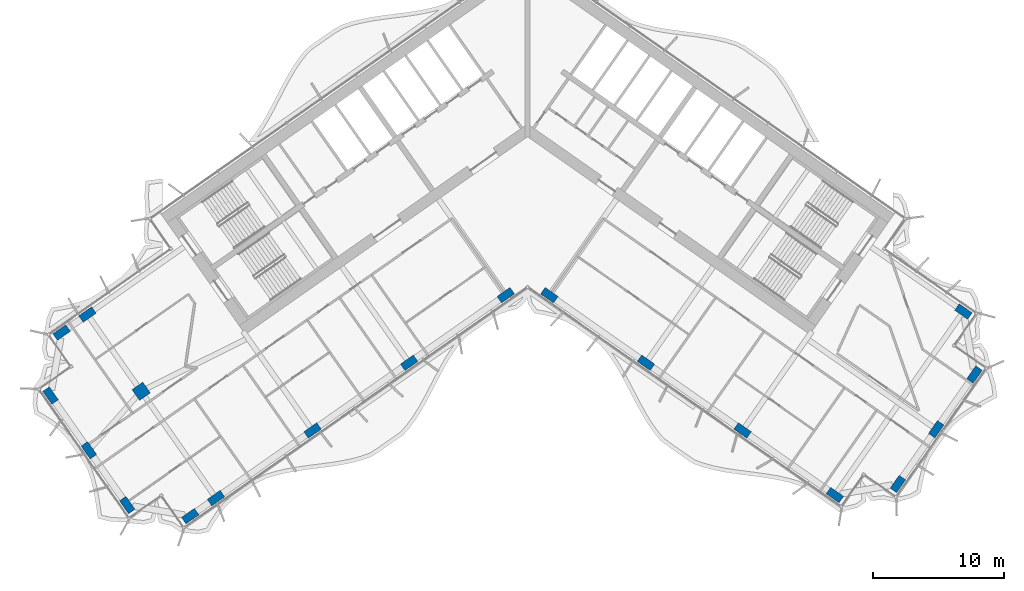
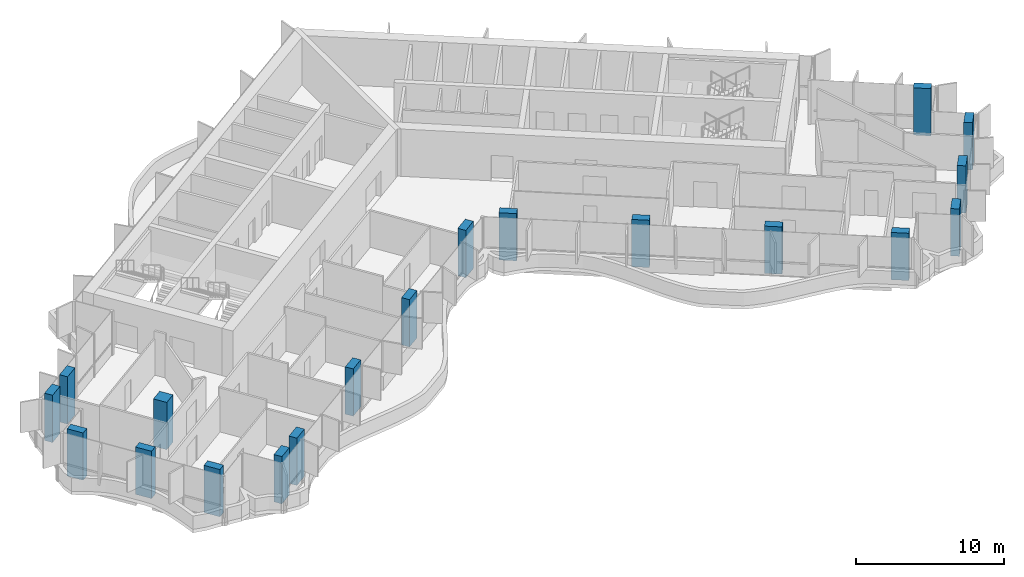
# One storey, part 1 of 23: 19 columns.
"""IFC4 building model written with IfcOpenShell, lengths in metres."""

from ifc_helpers import new_model, si_unit, direction, frame, origin, origin_2d, place, context, subcontext, project, spatial, rectangle, extrude, material, material_profile, profile_set, type_object, element, save


model = new_model("IFC4")

# Units and contexts
model_context = context("Model", 3, precision=1e-05, world=origin(), true_north=direction((0.0, 1.0)))
body_context = subcontext(model_context, "Body", "Model", "MODEL_VIEW")
ifc_project = project(units=[si_unit("LENGTHUNIT", "METRE"), si_unit("AREAUNIT", "SQUARE_METRE"), si_unit("VOLUMEUNIT", "CUBIC_METRE"), si_unit("PLANEANGLEUNIT", "RADIAN"), si_unit("MASSUNIT", "GRAM", prefix="KILO")], contexts=[model_context])

# Site, building, storey
site_placement = place(None, origin())
site = spatial("IfcSite", under=ifc_project, at=site_placement, CompositionType="ELEMENT")
building_placement = place(site_placement, origin())
building = spatial("IfcBuilding", under=site, at=building_placement, Name="Tel Ilan Convention Tower", CompositionType="ELEMENT")
storey_placement = place(building_placement, frame((0.0, 0.0, 194.39990234375)))
storey = spatial("IfcBuildingStorey", under=building, at=storey_placement, Name="L45", CompositionType="ELEMENT", Elevation=194.39990234375)

# Columns
ifc_material_1 = material(Name="Concrete C50/60", Category="concrete")
ifc_material_profile_1 = material_profile(ifc_material_1, rectangle(XDim=1.0, YDim=1.0, at=origin_2d()), Name="RC 1000x1000")
ifc_profile_set_1 = profile_set([ifc_material_profile_1], Name="Concrete C50/60")
column_type_1 = type_object("IfcColumnType", Name="Column RC 1000x1000 C50/60", PredefinedType="COLUMN", material=ifc_profile_set_1)
column_placement = place(storey_placement, frame((-29.489501953125, -20.648681640625, 0.0), z_axis=(0.0, 0.0, 1.0), x_axis=(-0.819152044289, -0.573576436351, 0.0)))
element("IfcColumn", 1, at=column_placement, inside=storey, type_object=column_type_1, Name="L45 column W-M4", PredefinedType="COLUMN", context=body_context, shape_type="SweptSolid", body=[
    extrude(rectangle(XDim=1.0, YDim=1.0, at=origin_2d()), origin(), (0.0, 0.0, 1.0), 3.900146484375),
])
ifc_material_2 = material(Name="Concrete C50/60", Category="concrete")
ifc_material_profile_2 = material_profile(ifc_material_2, rectangle(XDim=1.199951171875, YDim=0.60009765625, at=origin_2d()), Name="RC 600x1200")
ifc_profile_set_2 = profile_set([ifc_material_profile_2], Name="Concrete C50/60")
column_type_2 = type_object("IfcColumnType", Name="Column RC 600x1200 C50/60", PredefinedType="COLUMN", material=ifc_profile_set_2)
for number, where, z_axis, x_axis, name in (
    (2, (-1.665283203125, -13.312744140625, 0.0), (0.0, 0.0, 1.0), (-0.819152044289, -0.573576436351, 0.0), "L45 column W-F1"),
    (3, (-9.03759765625, -18.474853515625, 0.0), (0.0, 0.0, 1.0), (-0.819152044289, -0.573576436351, 0.0), "L45 column W-F2"),
    (4, (-16.409912109375, -23.63720703125, 0.0), (0.0, 0.0, 1.0), (-0.819152044289, -0.573576436351, 0.0), "L45 column W-F3"),
    (5, (-23.782470703125, -28.79931640625, 0.0), (0.0, 0.0, 1.0), (-0.819152044289, -0.573576436351, 0.0), "L45 column W-F4"),
    (6, (-25.748291015625, -30.17578125, 0.0), (0.0, 0.0, 1.0), (-0.819152044289, -0.573576436351, 0.0), "L45 column W-FC"),
    (7, (-33.590576171875, -14.791748046875, 0.0), (0.0, 0.0, 1.0), (-0.819152044289, -0.573576436351, 0.0), "L45 column W-B4"),
    (8, (-35.556396484375, -16.16845703125, 0.0), (0.0, 0.0, 1.0), (-0.819152044289, -0.573576436351, 0.0), "L45 column W-BC"),
    (9, (-30.55322265625, -29.32861328125, 0.0), (0.0, 0.0, 1.0), (-0.573576436351, 0.819152044289, 0.0), "L45 column W-E1"),
    (10, (-33.478515625, -25.15087890625, 0.0), (0.0, 0.0, 1.0), (-0.573576436351, 0.819152044289, 0.0), "L45 column W-E2"),
    (11, (-36.40380859375, -20.973388671875, 0.0), (0.0, 0.0, 1.0), (-0.573576436351, 0.819152044289, 0.0), "L45 column W-E3"),
    (12, (1.665283203125, -13.312744140625, 0.0), (0.0, 0.0, 1.0), (0.819152044289, -0.573576436351, 0.0), "L45 column E-F1"),
    (13, (9.03759765625, -18.474853515625, 0.0), (0.0, 0.0, 1.0), (0.819152044289, -0.573576436351, 0.0), "L45 column E-F2"),
    (14, (16.409912109375, -23.63720703125, 0.0), (0.0, 0.0, 1.0), (0.819152044289, -0.573576436351, 0.0), "L45 column E-F3"),
    (15, (23.45458984375, -28.56982421875, 0.0), (0.0, 0.0, 1.0), (0.819152044289, -0.573576436351, 0.0), "L45 column E-FC"),
    (16, (33.262939453125, -14.5625, 0.0), (0.0, 0.0, 1.0), (0.819152044289, -0.573576436351, 0.0), "L45 column E-BC"),
    (17, (28.259521484375, -27.72265625, 0.0), (0.0, 0.0, 1.0), (0.573576436351, 0.819152044289, 0.0), "L45 column E-E1"),
    (18, (31.184814453125, -23.544921875, 0.0), (0.0, 0.0, 1.0), (0.573576436351, 0.819152044289, 0.0), "L45 column E-E2"),
    (19, (34.110107421875, -19.3671875, 0.0), (0.0, 0.0, 1.0), (0.573576436351, 0.819152044289, 0.0), "L45 column E-E3"),
):
    element("IfcColumn", number, at=place(storey_placement, frame(where, z_axis=z_axis, x_axis=x_axis)), inside=storey, type_object=column_type_2, Name=name, PredefinedType="COLUMN", context=body_context, shape_type="SweptSolid", body=[
        extrude(rectangle(XDim=1.199951171875, YDim=0.60009765625, at=origin_2d()), origin(), (0.0, 0.0, 1.0), 3.900146484375),
    ])

save(model, "model.ifc")
